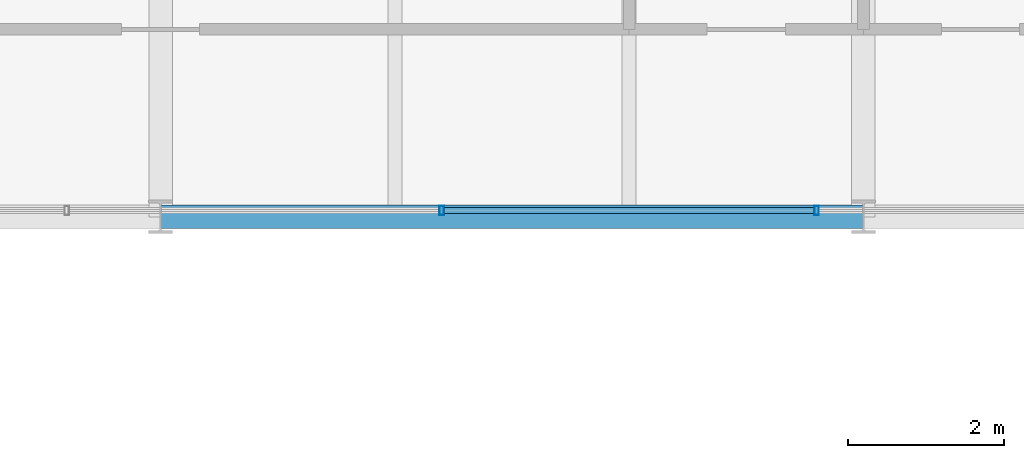
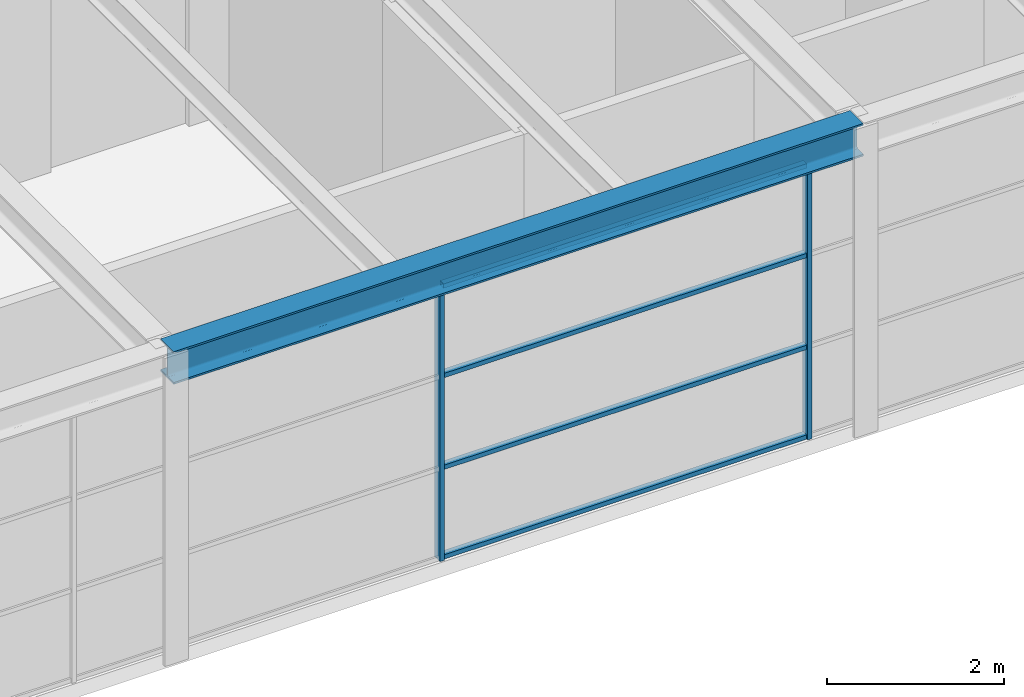
# One storey, part 28 of 70: 6 members, 1 beam, 1 element without a shape of its own.
"""IFC4 building model written with IfcOpenShell, lengths in metres."""

from ifc_helpers import new_model, si_unit, direction, frame, origin, origin_2d, place, context, subcontext, project, spatial, hollow_rectangle, i_section, extrude, material, material_profile, profile_set, type_object, element, aggregate, save


model = new_model("IFC4")

# Units and contexts
model_context = context("Model", 3, precision=1e-05, world=origin(), true_north=direction((0.0, 1.0)))
body_context = subcontext(model_context, "Body", "Model", "MODEL_VIEW")
ifc_project = project(units=[si_unit("LENGTHUNIT", "METRE"), si_unit("AREAUNIT", "SQUARE_METRE"), si_unit("VOLUMEUNIT", "CUBIC_METRE"), si_unit("PLANEANGLEUNIT", "RADIAN"), si_unit("MASSUNIT", "GRAM", prefix="KILO")], contexts=[model_context])

# Site, building, storey
site_placement = place(None, origin())
site = spatial("IfcSite", under=ifc_project, at=site_placement, CompositionType="ELEMENT")
building_placement = place(site_placement, origin())
building = spatial("IfcBuilding", under=site, at=building_placement, Name="Kallimachos Central Library", CompositionType="ELEMENT")
storey_placement = place(building_placement, frame((0.0, 0.0, 18.89990234375)))
storey = spatial("IfcBuildingStorey", under=building, at=storey_placement, Name="L04", CompositionType="ELEMENT", Elevation=18.89990234375)

# Curtain wall, members
ifc_material_1 = material(Name="Aluminium and laminated glass", Category="aluminium")
curtain_wall_type = type_object("IfcCurtainWallType", Name="Atrium glazed screen", PredefinedType="NOTDEFINED", material=ifc_material_1)
curtain_wall_placement = place(storey_placement, origin())
curtain_wall = element("IfcCurtainWall", 1, at=curtain_wall_placement, inside=storey, type_object=curtain_wall_type, Name="L04 atrium screen N", PredefinedType="NOTDEFINED")
ifc_material_2 = material(Name="Anodised aluminium", Category="aluminium")
ifc_material_profile_1 = material_profile(ifc_material_2, hollow_rectangle(XDim=0.06005859375, YDim=0.1201171875, WallThickness=0.00390625, at=origin_2d()), Name="ALU MULLION 60x120")
ifc_profile_set_1 = profile_set([ifc_material_profile_1], Name="Anodised aluminium")
member_type_1 = type_object("IfcMemberType", Name="Atrium screen mullion", PredefinedType="MULLION", material=ifc_profile_set_1)
member_1_placement = place(storey_placement, frame((87.10009765625, 75.080078125, 0.0), z_axis=(0.0, 0.0, 1.0), x_axis=(1.0, 0.0, 0.0)))
member_1 = element("IfcMember", 2, at=member_1_placement, type_object=member_type_1, Name="CW mullion 3", PredefinedType="MULLION", context=body_context, shape_type="SweptSolid", body=[
    extrude(hollow_rectangle(XDim=0.06005859375, YDim=0.1201171875, WallThickness=0.00390625, at=origin_2d()), origin(), (0.0, 0.0, 1.0), 3.800048828125),
])
member_2_placement = place(storey_placement, frame((91.89990234375, 75.080078125, 0.0), z_axis=(0.0, 0.0, 1.0), x_axis=(1.0, 0.0, 0.0)))
member_2 = element("IfcMember", 3, at=member_2_placement, type_object=member_type_1, Name="CW mullion 4", PredefinedType="MULLION", context=body_context, shape_type="SweptSolid", body=[
    extrude(hollow_rectangle(XDim=0.06005859375, YDim=0.1201171875, WallThickness=0.00390625, at=origin_2d()), origin(), (0.0, 0.0, 1.0), 3.800048828125),
])
ifc_material_3 = material(Name="Anodised aluminium", Category="aluminium")
ifc_material_profile_2 = material_profile(ifc_material_3, hollow_rectangle(XDim=0.06005859375, YDim=0.080078125, WallThickness=0.00390625, at=origin_2d()), Name="ALU TRANSOM 60x80")
ifc_profile_set_2 = profile_set([ifc_material_profile_2], Name="Anodised aluminium")
member_type_2 = type_object("IfcMemberType", Name="Atrium screen transom", PredefinedType="USERDEFINED", material=ifc_profile_set_2)
member_3_placement = place(storey_placement, frame((87.1298828125, 75.080078125, 0.030029296875), z_axis=(1.0, 0.0, 0.0), x_axis=(0.0, 0.0, 1.0)))
member_3 = element("IfcMember", 4, at=member_3_placement, type_object=member_type_2, Name="CW transom 3.1", ObjectType="TRANSOM", PredefinedType="USERDEFINED", context=body_context, shape_type="SweptSolid", body=[
    extrude(hollow_rectangle(XDim=0.06005859375, YDim=0.080078125, WallThickness=0.00390625, at=origin_2d()), origin(), (0.0, 0.0, 1.0), 4.740234375),
])
member_4_placement = place(storey_placement, frame((87.1298828125, 75.080078125, 1.266845703125), z_axis=(1.0, 0.0, 0.0), x_axis=(0.0, 0.0, 1.0)))
member_4 = element("IfcMember", 5, at=member_4_placement, type_object=member_type_2, Name="CW transom 3.2", ObjectType="TRANSOM", PredefinedType="USERDEFINED", context=body_context, shape_type="SweptSolid", body=[
    extrude(hollow_rectangle(XDim=0.06005859375, YDim=0.080078125, WallThickness=0.00390625, at=origin_2d()), origin(), (0.0, 0.0, 1.0), 4.740234375),
])
member_5_placement = place(storey_placement, frame((87.1298828125, 75.080078125, 2.533447265625), z_axis=(1.0, 0.0, 0.0), x_axis=(0.0, 0.0, 1.0)))
member_5 = element("IfcMember", 6, at=member_5_placement, type_object=member_type_2, Name="CW transom 3.3", ObjectType="TRANSOM", PredefinedType="USERDEFINED", context=body_context, shape_type="SweptSolid", body=[
    extrude(hollow_rectangle(XDim=0.06005859375, YDim=0.080078125, WallThickness=0.00390625, at=origin_2d()), origin(), (0.0, 0.0, 1.0), 4.740234375),
])
member_6_placement = place(storey_placement, frame((87.1298828125, 75.080078125, 3.77001953125), z_axis=(1.0, 0.0, 0.0), x_axis=(0.0, 0.0, 1.0)))
member_6 = element("IfcMember", 7, at=member_6_placement, type_object=member_type_2, Name="CW transom 3.4", ObjectType="TRANSOM", PredefinedType="USERDEFINED", context=body_context, shape_type="SweptSolid", body=[
    extrude(hollow_rectangle(XDim=0.06005859375, YDim=0.080078125, WallThickness=0.00390625, at=origin_2d()), origin(), (0.0, 0.0, 1.0), 4.740234375),
])
aggregate(curtain_wall, [member_1, member_2, member_3, member_4, member_5, member_6])

# Beam
ifc_material_4 = material(Name="Steel S355J2", Category="steel")
ifc_material_profile_3 = material_profile(ifc_material_4, i_section(OverallWidth=0.300048828125, OverallDepth=0.449951171875, WebThickness=0.013916015625, FlangeThickness=0.02587890625, FilletRadius=0.027099609375, at=origin_2d()), Name="HEB 450")
ifc_profile_set_3 = profile_set([ifc_material_profile_3], Name="Steel S355J2")
beam_type = type_object("IfcBeamType", Name="HEB 450 beam", PredefinedType="BEAM", material=ifc_profile_set_3)
beam_placement = place(storey_placement, frame((83.5, 75.0, 4.025146484375), z_axis=(1.0, 0.0, 0.0), x_axis=(0.0, 1.0, 0.0)))
element("IfcBeam", 8, at=beam_placement, inside=storey, type_object=beam_type, Name="V4-BEM-L04-002", PredefinedType="BEAM", context=body_context, shape_type="SweptSolid", body=[
    extrude(i_section(OverallWidth=0.300048828125, OverallDepth=0.449951171875, WebThickness=0.013916015625, FlangeThickness=0.02587890625, FilletRadius=0.027099609375, at=origin_2d()), origin(), (0.0, 0.0, 1.0), 9.0),
])

save(model, "model.ifc")
